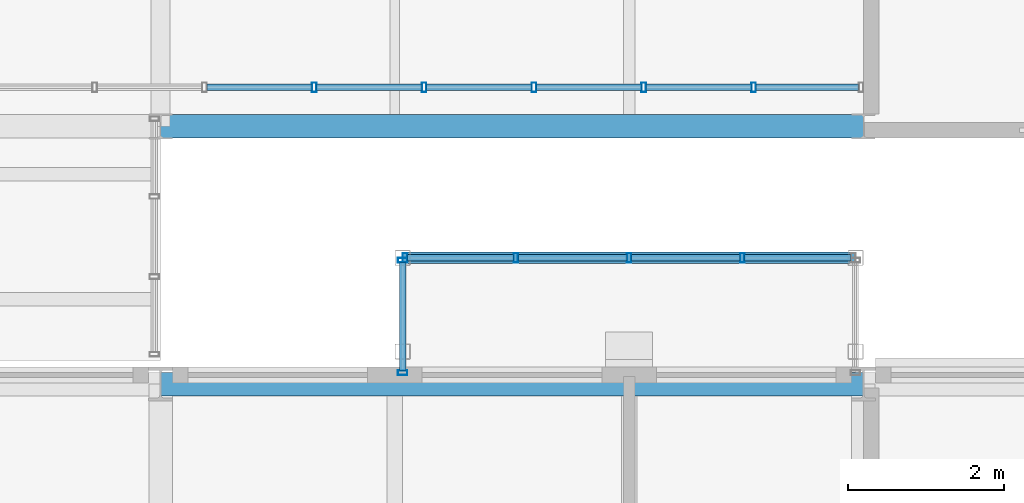
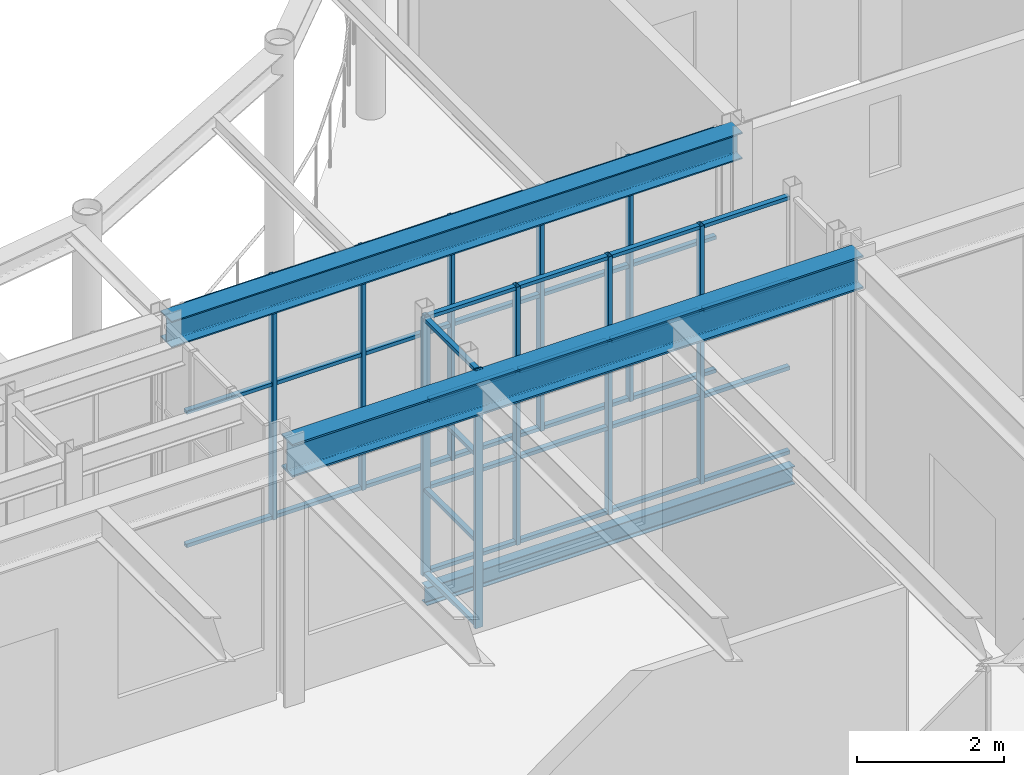
# One storey, part 40 of 111: 49 members, 3 beams, 3 elements without a shape of their own.
"""IFC4 building model written with IfcOpenShell, lengths in metres."""

from ifc_helpers import new_model, si_unit, direction, frame, origin, origin_2d, place, context, subcontext, project, spatial, hollow_rectangle, i_section, extrude, material, layer, layer_set, material_profile, profile_set, type_object, element, aggregate, save


model = new_model("IFC4")

# Units and contexts
model_context = context("Model", 3, precision=1e-05, world=origin(), true_north=direction((0.0, 1.0)))
body_context = subcontext(model_context, "Body", "Model", "MODEL_VIEW")
ifc_project = project(units=[si_unit("LENGTHUNIT", "METRE"), si_unit("AREAUNIT", "SQUARE_METRE"), si_unit("VOLUMEUNIT", "CUBIC_METRE"), si_unit("PLANEANGLEUNIT", "RADIAN"), si_unit("MASSUNIT", "GRAM", prefix="KILO")], contexts=[model_context])

# Site, building, storey
site_placement = place(None, origin())
site = spatial("IfcSite", under=ifc_project, at=site_placement, CompositionType="ELEMENT")
building_placement = place(site_placement, origin())
building = spatial("IfcBuilding", under=site, at=building_placement, Name="Kallimachos Central Library", CompositionType="ELEMENT")
storey_placement = place(building_placement, frame((0.0, 0.0, 14.39990234375)))
storey = spatial("IfcBuildingStorey", under=building, at=storey_placement, Name="L03", CompositionType="ELEMENT", Elevation=14.39990234375)

# Curtain wall, members
ifc_material_1 = material(Name="Anodised aluminium and laminated glass", Category="aluminium")
ifc_layer = layer(ifc_material_1, 0.159912109375)
ifc_layer_set = layer_set([ifc_layer], Name="Glass box curtain wall")
curtain_wall_type_1 = type_object("IfcCurtainWallType", Name="Glass box curtain wall", PredefinedType="NOTDEFINED", material=ifc_layer_set)
curtain_wall_1_placement = place(storey_placement, origin())
curtain_wall_1 = element("IfcCurtainWall", 1, at=curtain_wall_1_placement, inside=storey, type_object=curtain_wall_type_1, Name="Glass box curtain wall S L03", PredefinedType="NOTDEFINED")
ifc_material_2 = material(Name="Anodised aluminium", Category="aluminium")
ifc_material_profile_1 = material_profile(ifc_material_2, hollow_rectangle(XDim=0.06005859375, YDim=0.1201171875, WallThickness=0.00390625, at=origin_2d()), Name="ALU MULLION 60x120")
ifc_profile_set_1 = profile_set([ifc_material_profile_1], Name="Anodised aluminium")
member_type_1 = type_object("IfcMemberType", Name="Glass box mullion 60x120", PredefinedType="MULLION", material=ifc_profile_set_1)
member_1_placement = place(storey_placement, frame((94.46875, 87.64990234375, 0.0), z_axis=(0.0, 0.0, 1.0), x_axis=(1.0, 0.0, 0.0)))
member_1 = element("IfcMember", 2, at=member_1_placement, type_object=member_type_1, Name="CW22 mullion 4", PredefinedType="MULLION", context=body_context, shape_type="SweptSolid", body=[
    extrude(hollow_rectangle(XDim=0.06005859375, YDim=0.1201171875, WallThickness=0.00390625, at=origin_2d()), origin(), (0.0, 0.0, 1.0), 4.050048828125),
])
member_2_placement = place(storey_placement, frame((95.875, 87.64990234375, 0.0), z_axis=(0.0, 0.0, 1.0), x_axis=(1.0, 0.0, 0.0)))
member_2 = element("IfcMember", 3, at=member_2_placement, type_object=member_type_1, Name="CW22 mullion 5", PredefinedType="MULLION", context=body_context, shape_type="SweptSolid", body=[
    extrude(hollow_rectangle(XDim=0.06005859375, YDim=0.1201171875, WallThickness=0.00390625, at=origin_2d()), origin(), (0.0, 0.0, 1.0), 4.050048828125),
])
member_3_placement = place(storey_placement, frame((97.28125, 87.64990234375, 0.0), z_axis=(0.0, 0.0, 1.0), x_axis=(1.0, 0.0, 0.0)))
member_3 = element("IfcMember", 4, at=member_3_placement, type_object=member_type_1, Name="CW22 mullion 6", PredefinedType="MULLION", context=body_context, shape_type="SweptSolid", body=[
    extrude(hollow_rectangle(XDim=0.06005859375, YDim=0.1201171875, WallThickness=0.00390625, at=origin_2d()), origin(), (0.0, 0.0, 1.0), 4.050048828125),
])
member_4_placement = place(storey_placement, frame((98.6875, 87.64990234375, 0.0), z_axis=(0.0, 0.0, 1.0), x_axis=(1.0, 0.0, 0.0)))
member_4 = element("IfcMember", 5, at=member_4_placement, type_object=member_type_1, Name="CW22 mullion 7", PredefinedType="MULLION", context=body_context, shape_type="SweptSolid", body=[
    extrude(hollow_rectangle(XDim=0.06005859375, YDim=0.1201171875, WallThickness=0.00390625, at=origin_2d()), origin(), (0.0, 0.0, 1.0), 4.050048828125),
])
member_5_placement = place(storey_placement, frame((100.09375, 87.64990234375, 0.0), z_axis=(0.0, 0.0, 1.0), x_axis=(1.0, 0.0, 0.0)))
member_5 = element("IfcMember", 6, at=member_5_placement, type_object=member_type_1, Name="CW22 mullion 8", PredefinedType="MULLION", context=body_context, shape_type="SweptSolid", body=[
    extrude(hollow_rectangle(XDim=0.06005859375, YDim=0.1201171875, WallThickness=0.00390625, at=origin_2d()), origin(), (0.0, 0.0, 1.0), 4.050048828125),
])
ifc_material_3 = material(Name="Anodised aluminium", Category="aluminium")
ifc_material_profile_2 = material_profile(ifc_material_3, hollow_rectangle(XDim=0.06005859375, YDim=0.080078125, WallThickness=0.00390625, at=origin_2d()), Name="ALU TRANSOM 60x80")
ifc_profile_set_2 = profile_set([ifc_material_profile_2], Name="Anodised aluminium")
member_type_2 = type_object("IfcMemberType", Name="Glass box transom 60x80", PredefinedType="USERDEFINED", material=ifc_profile_set_2)
member_6_placement = place(storey_placement, frame((93.092529296875, 87.64990234375, 0.030029296875), z_axis=(1.0, 0.0, 0.0), x_axis=(0.0, 0.0, 1.0)))
member_6 = element("IfcMember", 7, at=member_6_placement, type_object=member_type_2, Name="CW22 transom 3.1", ObjectType="TRANSOM", PredefinedType="USERDEFINED", context=body_context, shape_type="SweptSolid", body=[
    extrude(hollow_rectangle(XDim=0.06005859375, YDim=0.080078125, WallThickness=0.00390625, at=origin_2d()), origin(), (0.0, 0.0, 1.0), 1.34619140625),
])
member_7_placement = place(storey_placement, frame((93.092529296875, 87.64990234375, 2.25), z_axis=(1.0, 0.0, 0.0), x_axis=(0.0, 0.0, 1.0)))
member_7 = element("IfcMember", 8, at=member_7_placement, type_object=member_type_2, Name="CW22 transom 3.2", ObjectType="TRANSOM", PredefinedType="USERDEFINED", context=body_context, shape_type="SweptSolid", body=[
    extrude(hollow_rectangle(XDim=0.06005859375, YDim=0.080078125, WallThickness=0.00390625, at=origin_2d()), origin(), (0.0, 0.0, 1.0), 1.34619140625),
])
member_8_placement = place(storey_placement, frame((93.092529296875, 87.64990234375, 4.02001953125), z_axis=(1.0, 0.0, 0.0), x_axis=(0.0, 0.0, 1.0)))
member_8 = element("IfcMember", 9, at=member_8_placement, type_object=member_type_2, Name="CW22 transom 3.3", ObjectType="TRANSOM", PredefinedType="USERDEFINED", context=body_context, shape_type="SweptSolid", body=[
    extrude(hollow_rectangle(XDim=0.06005859375, YDim=0.080078125, WallThickness=0.00390625, at=origin_2d()), origin(), (0.0, 0.0, 1.0), 1.34619140625),
])
member_9_placement = place(storey_placement, frame((94.498779296875, 87.64990234375, 0.030029296875), z_axis=(1.0, 0.0, 0.0), x_axis=(0.0, 0.0, 1.0)))
member_9 = element("IfcMember", 10, at=member_9_placement, type_object=member_type_2, Name="CW22 transom 4.1", ObjectType="TRANSOM", PredefinedType="USERDEFINED", context=body_context, shape_type="SweptSolid", body=[
    extrude(hollow_rectangle(XDim=0.06005859375, YDim=0.080078125, WallThickness=0.00390625, at=origin_2d()), origin(), (0.0, 0.0, 1.0), 1.34619140625),
])
member_10_placement = place(storey_placement, frame((94.498779296875, 87.64990234375, 2.25), z_axis=(1.0, 0.0, 0.0), x_axis=(0.0, 0.0, 1.0)))
member_10 = element("IfcMember", 11, at=member_10_placement, type_object=member_type_2, Name="CW22 transom 4.2", ObjectType="TRANSOM", PredefinedType="USERDEFINED", context=body_context, shape_type="SweptSolid", body=[
    extrude(hollow_rectangle(XDim=0.06005859375, YDim=0.080078125, WallThickness=0.00390625, at=origin_2d()), origin(), (0.0, 0.0, 1.0), 1.34619140625),
])
member_11_placement = place(storey_placement, frame((94.498779296875, 87.64990234375, 4.02001953125), z_axis=(1.0, 0.0, 0.0), x_axis=(0.0, 0.0, 1.0)))
member_11 = element("IfcMember", 12, at=member_11_placement, type_object=member_type_2, Name="CW22 transom 4.3", ObjectType="TRANSOM", PredefinedType="USERDEFINED", context=body_context, shape_type="SweptSolid", body=[
    extrude(hollow_rectangle(XDim=0.06005859375, YDim=0.080078125, WallThickness=0.00390625, at=origin_2d()), origin(), (0.0, 0.0, 1.0), 1.34619140625),
])
member_12_placement = place(storey_placement, frame((95.905029296875, 87.64990234375, 0.030029296875), z_axis=(1.0, 0.0, 0.0), x_axis=(0.0, 0.0, 1.0)))
member_12 = element("IfcMember", 13, at=member_12_placement, type_object=member_type_2, Name="CW22 transom 5.1", ObjectType="TRANSOM", PredefinedType="USERDEFINED", context=body_context, shape_type="SweptSolid", body=[
    extrude(hollow_rectangle(XDim=0.06005859375, YDim=0.080078125, WallThickness=0.00390625, at=origin_2d()), origin(), (0.0, 0.0, 1.0), 1.34619140625),
])
member_13_placement = place(storey_placement, frame((95.905029296875, 87.64990234375, 2.25), z_axis=(1.0, 0.0, 0.0), x_axis=(0.0, 0.0, 1.0)))
member_13 = element("IfcMember", 14, at=member_13_placement, type_object=member_type_2, Name="CW22 transom 5.2", ObjectType="TRANSOM", PredefinedType="USERDEFINED", context=body_context, shape_type="SweptSolid", body=[
    extrude(hollow_rectangle(XDim=0.06005859375, YDim=0.080078125, WallThickness=0.00390625, at=origin_2d()), origin(), (0.0, 0.0, 1.0), 1.34619140625),
])
member_14_placement = place(storey_placement, frame((95.905029296875, 87.64990234375, 4.02001953125), z_axis=(1.0, 0.0, 0.0), x_axis=(0.0, 0.0, 1.0)))
member_14 = element("IfcMember", 15, at=member_14_placement, type_object=member_type_2, Name="CW22 transom 5.3", ObjectType="TRANSOM", PredefinedType="USERDEFINED", context=body_context, shape_type="SweptSolid", body=[
    extrude(hollow_rectangle(XDim=0.06005859375, YDim=0.080078125, WallThickness=0.00390625, at=origin_2d()), origin(), (0.0, 0.0, 1.0), 1.34619140625),
])
member_15_placement = place(storey_placement, frame((97.311279296875, 87.64990234375, 0.030029296875), z_axis=(1.0, 0.0, 0.0), x_axis=(0.0, 0.0, 1.0)))
member_15 = element("IfcMember", 16, at=member_15_placement, type_object=member_type_2, Name="CW22 transom 6.1", ObjectType="TRANSOM", PredefinedType="USERDEFINED", context=body_context, shape_type="SweptSolid", body=[
    extrude(hollow_rectangle(XDim=0.06005859375, YDim=0.080078125, WallThickness=0.00390625, at=origin_2d()), origin(), (0.0, 0.0, 1.0), 1.34619140625),
])
member_16_placement = place(storey_placement, frame((97.311279296875, 87.64990234375, 2.25), z_axis=(1.0, 0.0, 0.0), x_axis=(0.0, 0.0, 1.0)))
member_16 = element("IfcMember", 17, at=member_16_placement, type_object=member_type_2, Name="CW22 transom 6.2", ObjectType="TRANSOM", PredefinedType="USERDEFINED", context=body_context, shape_type="SweptSolid", body=[
    extrude(hollow_rectangle(XDim=0.06005859375, YDim=0.080078125, WallThickness=0.00390625, at=origin_2d()), origin(), (0.0, 0.0, 1.0), 1.34619140625),
])
member_17_placement = place(storey_placement, frame((97.311279296875, 87.64990234375, 4.02001953125), z_axis=(1.0, 0.0, 0.0), x_axis=(0.0, 0.0, 1.0)))
member_17 = element("IfcMember", 18, at=member_17_placement, type_object=member_type_2, Name="CW22 transom 6.3", ObjectType="TRANSOM", PredefinedType="USERDEFINED", context=body_context, shape_type="SweptSolid", body=[
    extrude(hollow_rectangle(XDim=0.06005859375, YDim=0.080078125, WallThickness=0.00390625, at=origin_2d()), origin(), (0.0, 0.0, 1.0), 1.34619140625),
])
member_18_placement = place(storey_placement, frame((98.717529296875, 87.64990234375, 0.030029296875), z_axis=(1.0, 0.0, 0.0), x_axis=(0.0, 0.0, 1.0)))
member_18 = element("IfcMember", 19, at=member_18_placement, type_object=member_type_2, Name="CW22 transom 7.1", ObjectType="TRANSOM", PredefinedType="USERDEFINED", context=body_context, shape_type="SweptSolid", body=[
    extrude(hollow_rectangle(XDim=0.06005859375, YDim=0.080078125, WallThickness=0.00390625, at=origin_2d()), origin(), (0.0, 0.0, 1.0), 1.34619140625),
])
member_19_placement = place(storey_placement, frame((98.717529296875, 87.64990234375, 2.25), z_axis=(1.0, 0.0, 0.0), x_axis=(0.0, 0.0, 1.0)))
member_19 = element("IfcMember", 20, at=member_19_placement, type_object=member_type_2, Name="CW22 transom 7.2", ObjectType="TRANSOM", PredefinedType="USERDEFINED", context=body_context, shape_type="SweptSolid", body=[
    extrude(hollow_rectangle(XDim=0.06005859375, YDim=0.080078125, WallThickness=0.00390625, at=origin_2d()), origin(), (0.0, 0.0, 1.0), 1.34619140625),
])
member_20_placement = place(storey_placement, frame((98.717529296875, 87.64990234375, 4.02001953125), z_axis=(1.0, 0.0, 0.0), x_axis=(0.0, 0.0, 1.0)))
member_20 = element("IfcMember", 21, at=member_20_placement, type_object=member_type_2, Name="CW22 transom 7.3", ObjectType="TRANSOM", PredefinedType="USERDEFINED", context=body_context, shape_type="SweptSolid", body=[
    extrude(hollow_rectangle(XDim=0.06005859375, YDim=0.080078125, WallThickness=0.00390625, at=origin_2d()), origin(), (0.0, 0.0, 1.0), 1.34619140625),
])
member_21_placement = place(storey_placement, frame((100.123779296875, 87.64990234375, 0.030029296875), z_axis=(1.0, 0.0, 0.0), x_axis=(0.0, 0.0, 1.0)))
member_21 = element("IfcMember", 22, at=member_21_placement, type_object=member_type_2, Name="CW22 transom 8.1", ObjectType="TRANSOM", PredefinedType="USERDEFINED", context=body_context, shape_type="SweptSolid", body=[
    extrude(hollow_rectangle(XDim=0.06005859375, YDim=0.080078125, WallThickness=0.00390625, at=origin_2d()), origin(), (0.0, 0.0, 1.0), 1.316162109375),
])
member_22_placement = place(storey_placement, frame((100.123779296875, 87.64990234375, 2.25), z_axis=(1.0, 0.0, 0.0), x_axis=(0.0, 0.0, 1.0)))
member_22 = element("IfcMember", 23, at=member_22_placement, type_object=member_type_2, Name="CW22 transom 8.2", ObjectType="TRANSOM", PredefinedType="USERDEFINED", context=body_context, shape_type="SweptSolid", body=[
    extrude(hollow_rectangle(XDim=0.06005859375, YDim=0.080078125, WallThickness=0.00390625, at=origin_2d()), origin(), (0.0, 0.0, 1.0), 1.316162109375),
])
member_23_placement = place(storey_placement, frame((100.123779296875, 87.64990234375, 4.02001953125), z_axis=(1.0, 0.0, 0.0), x_axis=(0.0, 0.0, 1.0)))
member_23 = element("IfcMember", 24, at=member_23_placement, type_object=member_type_2, Name="CW22 transom 8.3", ObjectType="TRANSOM", PredefinedType="USERDEFINED", context=body_context, shape_type="SweptSolid", body=[
    extrude(hollow_rectangle(XDim=0.06005859375, YDim=0.080078125, WallThickness=0.00390625, at=origin_2d()), origin(), (0.0, 0.0, 1.0), 1.316162109375),
])
aggregate(curtain_wall_1, [member_1, member_2, member_3, member_4, member_5, member_6, member_7, member_8, member_9, member_10, member_11, member_12, member_13, member_14, member_15, member_16, member_17, member_18, member_19, member_20, member_21, member_22, member_23])

# Beams
ifc_material_4 = material(Name="Steel S355J2", Category="steel")
ifc_material_profile_3 = material_profile(ifc_material_4, i_section(OverallWidth=0.300048828125, OverallDepth=0.43994140625, WebThickness=0.011474609375, FlangeThickness=0.02099609375, FilletRadius=0.027099609375, at=origin_2d()), Name="HEA 450")
ifc_profile_set_3 = profile_set([ifc_material_profile_3], Name="Steel S355J2")
beam_type_1 = type_object("IfcBeamType", Name="HEA 450 beam", PredefinedType="BEAM", material=ifc_profile_set_3)
beam_1_placement = place(storey_placement, frame((92.5, 87.14990234375, 4.130126953125), z_axis=(1.0, 0.0, 0.0), x_axis=(0.0, 1.0, 0.0)))
element("IfcBeam", 25, at=beam_1_placement, inside=storey, type_object=beam_type_1, Name="V1-BEM-L03-041", PredefinedType="BEAM", context=body_context, shape_type="SweptSolid", body=[
    extrude(i_section(OverallWidth=0.300048828125, OverallDepth=0.43994140625, WebThickness=0.011474609375, FlangeThickness=0.02099609375, FilletRadius=0.027099609375, at=origin_2d()), origin(), (0.0, 0.0, 1.0), 9.0),
])
ifc_material_5 = material(Name="Steel S355J2", Category="steel")
ifc_material_profile_4 = material_profile(ifc_material_5, i_section(OverallWidth=0.300048828125, OverallDepth=0.550048828125, WebThickness=0.014892578125, FlangeThickness=0.029052734375, FilletRadius=0.027099609375, at=origin_2d()), Name="HEB 550")
ifc_profile_set_4 = profile_set([ifc_material_profile_4], Name="Steel S355J2")
beam_type_2 = type_object("IfcBeamType", Name="HEB 550 beam", PredefinedType="BEAM", material=ifc_profile_set_4)
beam_2_placement = place(storey_placement, frame((92.5, 83.85009765625, 4.025146484375), z_axis=(1.0, 0.0, 0.0), x_axis=(0.0, 1.0, 0.0)))
element("IfcBeam", 26, at=beam_2_placement, inside=storey, type_object=beam_type_2, Name="V4-BEM-L03-007", PredefinedType="BEAM", context=body_context, shape_type="SweptSolid", body=[
    extrude(i_section(OverallWidth=0.300048828125, OverallDepth=0.550048828125, WebThickness=0.014892578125, FlangeThickness=0.029052734375, FilletRadius=0.027099609375, at=origin_2d()), origin(), (0.0, 0.0, 1.0), 9.0),
])
ifc_material_6 = material(Name="Steel S355J2", Category="steel")
ifc_material_profile_5 = material_profile(ifc_material_6, i_section(OverallWidth=0.14990234375, OverallDepth=0.300048828125, WebThickness=0.007080078125, FlangeThickness=0.0107421875, FilletRadius=0.014892578125, at=origin_2d()), Name="IPE 300")
ifc_profile_set_5 = profile_set([ifc_material_profile_5], Name="Steel S355J2")
beam_type_3 = type_object("IfcBeamType", Name="IPE 300 beam", PredefinedType="BEAM", material=ifc_profile_set_5)
beam_3_placement = place(storey_placement, frame((95.60009765625, 85.466064453125, -0.349853515625), z_axis=(1.0, 0.0, 0.0), x_axis=(0.0, 1.0, 0.0)))
element("IfcBeam", 27, at=beam_3_placement, inside=storey, type_object=beam_type_3, Name="Tribune bay N2 edge beam L03", PredefinedType="BEAM", context=body_context, shape_type="SweptSolid", body=[
    extrude(i_section(OverallWidth=0.14990234375, OverallDepth=0.300048828125, WebThickness=0.007080078125, FlangeThickness=0.0107421875, FilletRadius=0.014892578125, at=origin_2d()), origin(), (0.0, 0.0, 1.0), 5.7998046875),
])

# Curtain wall, members
ifc_material_7 = material(Name="Aluminium and laminated glass", Category="aluminium")
curtain_wall_type_2 = type_object("IfcCurtainWallType", Name="Tribune bay glazed screen", PredefinedType="NOTDEFINED", material=ifc_material_7)
curtain_wall_2_placement = place(storey_placement, origin())
curtain_wall_2 = element("IfcCurtainWall", 28, at=curtain_wall_2_placement, inside=storey, type_object=curtain_wall_type_2, Name="Tribune bay N2 L03 front", PredefinedType="NOTDEFINED")
ifc_material_8 = material(Name="Anodised aluminium", Category="aluminium")
ifc_material_profile_6 = material_profile(ifc_material_8, hollow_rectangle(XDim=0.06005859375, YDim=0.1201171875, WallThickness=0.00390625, at=origin_2d()), Name="ALU MULLION 60x120")
ifc_profile_set_6 = profile_set([ifc_material_profile_6], Name="Anodised aluminium")
member_type_3 = type_object("IfcMemberType", Name="Tribune bay mullion", PredefinedType="MULLION", material=ifc_profile_set_6)
member_24_placement = place(storey_placement, frame((95.6298828125, 85.466064453125, 0.0), z_axis=(0.0, 0.0, 1.0), x_axis=(1.0, 0.0, 0.0)))
member_24 = element("IfcMember", 29, at=member_24_placement, type_object=member_type_3, Name="CW mullion 1", PredefinedType="MULLION", context=body_context, shape_type="SweptSolid", body=[
    extrude(hollow_rectangle(XDim=0.06005859375, YDim=0.1201171875, WallThickness=0.00390625, at=origin_2d()), origin(), (0.0, 0.0, 1.0), 4.300048828125),
])
member_25_placement = place(storey_placement, frame((97.050048828125, 85.466064453125, 0.0), z_axis=(0.0, 0.0, 1.0), x_axis=(1.0, 0.0, 0.0)))
member_25 = element("IfcMember", 30, at=member_25_placement, type_object=member_type_3, Name="CW mullion 2", PredefinedType="MULLION", context=body_context, shape_type="SweptSolid", body=[
    extrude(hollow_rectangle(XDim=0.06005859375, YDim=0.1201171875, WallThickness=0.00390625, at=origin_2d()), origin(), (0.0, 0.0, 1.0), 4.300048828125),
])
member_26_placement = place(storey_placement, frame((98.5, 85.466064453125, 0.0), z_axis=(0.0, 0.0, 1.0), x_axis=(1.0, 0.0, 0.0)))
member_26 = element("IfcMember", 31, at=member_26_placement, type_object=member_type_3, Name="CW mullion 3", PredefinedType="MULLION", context=body_context, shape_type="SweptSolid", body=[
    extrude(hollow_rectangle(XDim=0.06005859375, YDim=0.1201171875, WallThickness=0.00390625, at=origin_2d()), origin(), (0.0, 0.0, 1.0), 4.300048828125),
])
member_27_placement = place(storey_placement, frame((99.949951171875, 85.466064453125, 0.0), z_axis=(0.0, 0.0, 1.0), x_axis=(1.0, 0.0, 0.0)))
member_27 = element("IfcMember", 32, at=member_27_placement, type_object=member_type_3, Name="CW mullion 4", PredefinedType="MULLION", context=body_context, shape_type="SweptSolid", body=[
    extrude(hollow_rectangle(XDim=0.06005859375, YDim=0.1201171875, WallThickness=0.00390625, at=origin_2d()), origin(), (0.0, 0.0, 1.0), 4.300048828125),
])

curtain_wall_3_placement = place(storey_placement, origin())
curtain_wall_3 = element("IfcCurtainWall", 33, at=curtain_wall_3_placement, inside=storey, type_object=curtain_wall_type_2, Name="Tribune bay N2 L03 return 1", PredefinedType="NOTDEFINED")
member_28_placement = place(storey_placement, frame((95.60009765625, 83.99609375, 0.0), z_axis=(0.0, 0.0, 1.0), x_axis=(0.0, 1.0, 0.0)))
member_28 = element("IfcMember", 34, at=member_28_placement, type_object=member_type_3, Name="CW mullion 1", PredefinedType="MULLION", context=body_context, shape_type="SweptSolid", body=[
    extrude(hollow_rectangle(XDim=0.06005859375, YDim=0.1201171875, WallThickness=0.00390625, at=origin_2d()), origin(), (0.0, 0.0, 1.0), 4.300048828125),
])
member_29_placement = place(storey_placement, frame((95.60009765625, 85.43603515625, 0.0), z_axis=(0.0, 0.0, 1.0), x_axis=(0.0, 1.0, 0.0)))
member_29 = element("IfcMember", 35, at=member_29_placement, type_object=member_type_3, Name="CW mullion 2", PredefinedType="MULLION", context=body_context, shape_type="SweptSolid", body=[
    extrude(hollow_rectangle(XDim=0.06005859375, YDim=0.1201171875, WallThickness=0.00390625, at=origin_2d()), origin(), (0.0, 0.0, 1.0), 4.300048828125),
])

# Member
ifc_material_9 = material(Name="Anodised aluminium", Category="aluminium")
ifc_material_profile_7 = material_profile(ifc_material_9, hollow_rectangle(XDim=0.06005859375, YDim=0.080078125, WallThickness=0.00390625, at=origin_2d()), Name="ALU TRANSOM 60x80")
ifc_profile_set_7 = profile_set([ifc_material_profile_7], Name="Anodised aluminium")
member_type_4 = type_object("IfcMemberType", Name="Tribune bay transom", PredefinedType="USERDEFINED", material=ifc_profile_set_7)
member_30_placement = place(storey_placement, frame((95.659912109375, 85.466064453125, 0.030029296875), z_axis=(1.0, 0.0, 0.0), x_axis=(0.0, 0.0, 1.0)))
member_30 = element("IfcMember", 36, at=member_30_placement, type_object=member_type_4, Name="CW transom 1.1", ObjectType="TRANSOM", PredefinedType="USERDEFINED", context=body_context, shape_type="SweptSolid", body=[
    extrude(hollow_rectangle(XDim=0.06005859375, YDim=0.080078125, WallThickness=0.00390625, at=origin_2d()), origin(), (0.0, 0.0, 1.0), 1.360107421875),
])

member_31_placement = place(storey_placement, frame((95.659912109375, 85.466064453125, 1.433349609375), z_axis=(1.0, 0.0, 0.0), x_axis=(0.0, 0.0, 1.0)))
member_31 = element("IfcMember", 37, at=member_31_placement, type_object=member_type_4, Name="CW transom 1.2", ObjectType="TRANSOM", PredefinedType="USERDEFINED", context=body_context, shape_type="SweptSolid", body=[
    extrude(hollow_rectangle(XDim=0.06005859375, YDim=0.080078125, WallThickness=0.00390625, at=origin_2d()), origin(), (0.0, 0.0, 1.0), 1.360107421875),
])

member_32_placement = place(storey_placement, frame((95.659912109375, 85.466064453125, 2.86669921875), z_axis=(1.0, 0.0, 0.0), x_axis=(0.0, 0.0, 1.0)))
member_32 = element("IfcMember", 38, at=member_32_placement, type_object=member_type_4, Name="CW transom 1.3", ObjectType="TRANSOM", PredefinedType="USERDEFINED", context=body_context, shape_type="SweptSolid", body=[
    extrude(hollow_rectangle(XDim=0.06005859375, YDim=0.080078125, WallThickness=0.00390625, at=origin_2d()), origin(), (0.0, 0.0, 1.0), 1.360107421875),
])

member_33_placement = place(storey_placement, frame((95.659912109375, 85.466064453125, 4.27001953125), z_axis=(1.0, 0.0, 0.0), x_axis=(0.0, 0.0, 1.0)))
member_33 = element("IfcMember", 39, at=member_33_placement, type_object=member_type_4, Name="CW transom 1.4", ObjectType="TRANSOM", PredefinedType="USERDEFINED", context=body_context, shape_type="SweptSolid", body=[
    extrude(hollow_rectangle(XDim=0.06005859375, YDim=0.080078125, WallThickness=0.00390625, at=origin_2d()), origin(), (0.0, 0.0, 1.0), 1.360107421875),
])

member_34_placement = place(storey_placement, frame((97.080078125, 85.466064453125, 0.030029296875), z_axis=(1.0, 0.0, 0.0), x_axis=(0.0, 0.0, 1.0)))
member_34 = element("IfcMember", 40, at=member_34_placement, type_object=member_type_4, Name="CW transom 2.1", ObjectType="TRANSOM", PredefinedType="USERDEFINED", context=body_context, shape_type="SweptSolid", body=[
    extrude(hollow_rectangle(XDim=0.06005859375, YDim=0.080078125, WallThickness=0.00390625, at=origin_2d()), origin(), (0.0, 0.0, 1.0), 1.389892578125),
])

member_35_placement = place(storey_placement, frame((97.080078125, 85.466064453125, 1.433349609375), z_axis=(1.0, 0.0, 0.0), x_axis=(0.0, 0.0, 1.0)))
member_35 = element("IfcMember", 41, at=member_35_placement, type_object=member_type_4, Name="CW transom 2.2", ObjectType="TRANSOM", PredefinedType="USERDEFINED", context=body_context, shape_type="SweptSolid", body=[
    extrude(hollow_rectangle(XDim=0.06005859375, YDim=0.080078125, WallThickness=0.00390625, at=origin_2d()), origin(), (0.0, 0.0, 1.0), 1.389892578125),
])

member_36_placement = place(storey_placement, frame((97.080078125, 85.466064453125, 2.86669921875), z_axis=(1.0, 0.0, 0.0), x_axis=(0.0, 0.0, 1.0)))
member_36 = element("IfcMember", 42, at=member_36_placement, type_object=member_type_4, Name="CW transom 2.3", ObjectType="TRANSOM", PredefinedType="USERDEFINED", context=body_context, shape_type="SweptSolid", body=[
    extrude(hollow_rectangle(XDim=0.06005859375, YDim=0.080078125, WallThickness=0.00390625, at=origin_2d()), origin(), (0.0, 0.0, 1.0), 1.389892578125),
])

member_37_placement = place(storey_placement, frame((97.080078125, 85.466064453125, 4.27001953125), z_axis=(1.0, 0.0, 0.0), x_axis=(0.0, 0.0, 1.0)))
member_37 = element("IfcMember", 43, at=member_37_placement, type_object=member_type_4, Name="CW transom 2.4", ObjectType="TRANSOM", PredefinedType="USERDEFINED", context=body_context, shape_type="SweptSolid", body=[
    extrude(hollow_rectangle(XDim=0.06005859375, YDim=0.080078125, WallThickness=0.00390625, at=origin_2d()), origin(), (0.0, 0.0, 1.0), 1.389892578125),
])

member_38_placement = place(storey_placement, frame((98.530029296875, 85.466064453125, 0.030029296875), z_axis=(1.0, 0.0, 0.0), x_axis=(0.0, 0.0, 1.0)))
member_38 = element("IfcMember", 44, at=member_38_placement, type_object=member_type_4, Name="CW transom 3.1", ObjectType="TRANSOM", PredefinedType="USERDEFINED", context=body_context, shape_type="SweptSolid", body=[
    extrude(hollow_rectangle(XDim=0.06005859375, YDim=0.080078125, WallThickness=0.00390625, at=origin_2d()), origin(), (0.0, 0.0, 1.0), 1.389892578125),
])

member_39_placement = place(storey_placement, frame((98.530029296875, 85.466064453125, 1.433349609375), z_axis=(1.0, 0.0, 0.0), x_axis=(0.0, 0.0, 1.0)))
member_39 = element("IfcMember", 45, at=member_39_placement, type_object=member_type_4, Name="CW transom 3.2", ObjectType="TRANSOM", PredefinedType="USERDEFINED", context=body_context, shape_type="SweptSolid", body=[
    extrude(hollow_rectangle(XDim=0.06005859375, YDim=0.080078125, WallThickness=0.00390625, at=origin_2d()), origin(), (0.0, 0.0, 1.0), 1.389892578125),
])

member_40_placement = place(storey_placement, frame((98.530029296875, 85.466064453125, 2.86669921875), z_axis=(1.0, 0.0, 0.0), x_axis=(0.0, 0.0, 1.0)))
member_40 = element("IfcMember", 46, at=member_40_placement, type_object=member_type_4, Name="CW transom 3.3", ObjectType="TRANSOM", PredefinedType="USERDEFINED", context=body_context, shape_type="SweptSolid", body=[
    extrude(hollow_rectangle(XDim=0.06005859375, YDim=0.080078125, WallThickness=0.00390625, at=origin_2d()), origin(), (0.0, 0.0, 1.0), 1.389892578125),
])

member_41_placement = place(storey_placement, frame((98.530029296875, 85.466064453125, 4.27001953125), z_axis=(1.0, 0.0, 0.0), x_axis=(0.0, 0.0, 1.0)))
member_41 = element("IfcMember", 47, at=member_41_placement, type_object=member_type_4, Name="CW transom 3.4", ObjectType="TRANSOM", PredefinedType="USERDEFINED", context=body_context, shape_type="SweptSolid", body=[
    extrude(hollow_rectangle(XDim=0.06005859375, YDim=0.080078125, WallThickness=0.00390625, at=origin_2d()), origin(), (0.0, 0.0, 1.0), 1.389892578125),
])

member_42_placement = place(storey_placement, frame((99.97998046875, 85.466064453125, 0.030029296875), z_axis=(1.0, 0.0, 0.0), x_axis=(0.0, 0.0, 1.0)))
member_42 = element("IfcMember", 48, at=member_42_placement, type_object=member_type_4, Name="CW transom 4.1", ObjectType="TRANSOM", PredefinedType="USERDEFINED", context=body_context, shape_type="SweptSolid", body=[
    extrude(hollow_rectangle(XDim=0.06005859375, YDim=0.080078125, WallThickness=0.00390625, at=origin_2d()), origin(), (0.0, 0.0, 1.0), 1.360107421875),
])

member_43_placement = place(storey_placement, frame((99.97998046875, 85.466064453125, 1.433349609375), z_axis=(1.0, 0.0, 0.0), x_axis=(0.0, 0.0, 1.0)))
member_43 = element("IfcMember", 49, at=member_43_placement, type_object=member_type_4, Name="CW transom 4.2", ObjectType="TRANSOM", PredefinedType="USERDEFINED", context=body_context, shape_type="SweptSolid", body=[
    extrude(hollow_rectangle(XDim=0.06005859375, YDim=0.080078125, WallThickness=0.00390625, at=origin_2d()), origin(), (0.0, 0.0, 1.0), 1.360107421875),
])

member_44_placement = place(storey_placement, frame((99.97998046875, 85.466064453125, 2.86669921875), z_axis=(1.0, 0.0, 0.0), x_axis=(0.0, 0.0, 1.0)))
member_44 = element("IfcMember", 50, at=member_44_placement, type_object=member_type_4, Name="CW transom 4.3", ObjectType="TRANSOM", PredefinedType="USERDEFINED", context=body_context, shape_type="SweptSolid", body=[
    extrude(hollow_rectangle(XDim=0.06005859375, YDim=0.080078125, WallThickness=0.00390625, at=origin_2d()), origin(), (0.0, 0.0, 1.0), 1.360107421875),
])

member_45_placement = place(storey_placement, frame((99.97998046875, 85.466064453125, 4.27001953125), z_axis=(1.0, 0.0, 0.0), x_axis=(0.0, 0.0, 1.0)))
member_45 = element("IfcMember", 51, at=member_45_placement, type_object=member_type_4, Name="CW transom 4.4", ObjectType="TRANSOM", PredefinedType="USERDEFINED", context=body_context, shape_type="SweptSolid", body=[
    extrude(hollow_rectangle(XDim=0.06005859375, YDim=0.080078125, WallThickness=0.00390625, at=origin_2d()), origin(), (0.0, 0.0, 1.0), 1.360107421875),
])

aggregate(curtain_wall_2, [member_24, member_25, member_26, member_27, member_30, member_31, member_32, member_33, member_34, member_35, member_36, member_37, member_38, member_39, member_40, member_41, member_42, member_43, member_44, member_45])

member_46_placement = place(storey_placement, frame((95.60009765625, 84.02587890625, 0.030029296875), z_axis=(0.0, 1.0, 0.0), x_axis=(0.0, 0.0, 1.0)))
member_46 = element("IfcMember", 52, at=member_46_placement, type_object=member_type_4, Name="CW transom 1.1", ObjectType="TRANSOM", PredefinedType="USERDEFINED", context=body_context, shape_type="SweptSolid", body=[
    extrude(hollow_rectangle(XDim=0.06005859375, YDim=0.080078125, WallThickness=0.00390625, at=origin_2d()), origin(), (0.0, 0.0, 1.0), 1.380126953125),
])

member_47_placement = place(storey_placement, frame((95.60009765625, 84.02587890625, 1.433349609375), z_axis=(0.0, 1.0, 0.0), x_axis=(0.0, 0.0, 1.0)))
member_47 = element("IfcMember", 53, at=member_47_placement, type_object=member_type_4, Name="CW transom 1.2", ObjectType="TRANSOM", PredefinedType="USERDEFINED", context=body_context, shape_type="SweptSolid", body=[
    extrude(hollow_rectangle(XDim=0.06005859375, YDim=0.080078125, WallThickness=0.00390625, at=origin_2d()), origin(), (0.0, 0.0, 1.0), 1.380126953125),
])

member_48_placement = place(storey_placement, frame((95.60009765625, 84.02587890625, 2.86669921875), z_axis=(0.0, 1.0, 0.0), x_axis=(0.0, 0.0, 1.0)))
member_48 = element("IfcMember", 54, at=member_48_placement, type_object=member_type_4, Name="CW transom 1.3", ObjectType="TRANSOM", PredefinedType="USERDEFINED", context=body_context, shape_type="SweptSolid", body=[
    extrude(hollow_rectangle(XDim=0.06005859375, YDim=0.080078125, WallThickness=0.00390625, at=origin_2d()), origin(), (0.0, 0.0, 1.0), 1.380126953125),
])

member_49_placement = place(storey_placement, frame((95.60009765625, 84.02587890625, 4.27001953125), z_axis=(0.0, 1.0, 0.0), x_axis=(0.0, 0.0, 1.0)))
member_49 = element("IfcMember", 55, at=member_49_placement, type_object=member_type_4, Name="CW transom 1.4", ObjectType="TRANSOM", PredefinedType="USERDEFINED", context=body_context, shape_type="SweptSolid", body=[
    extrude(hollow_rectangle(XDim=0.06005859375, YDim=0.080078125, WallThickness=0.00390625, at=origin_2d()), origin(), (0.0, 0.0, 1.0), 1.380126953125),
])

aggregate(curtain_wall_3, [member_28, member_29, member_46, member_47, member_48, member_49])

save(model, "model.ifc")
